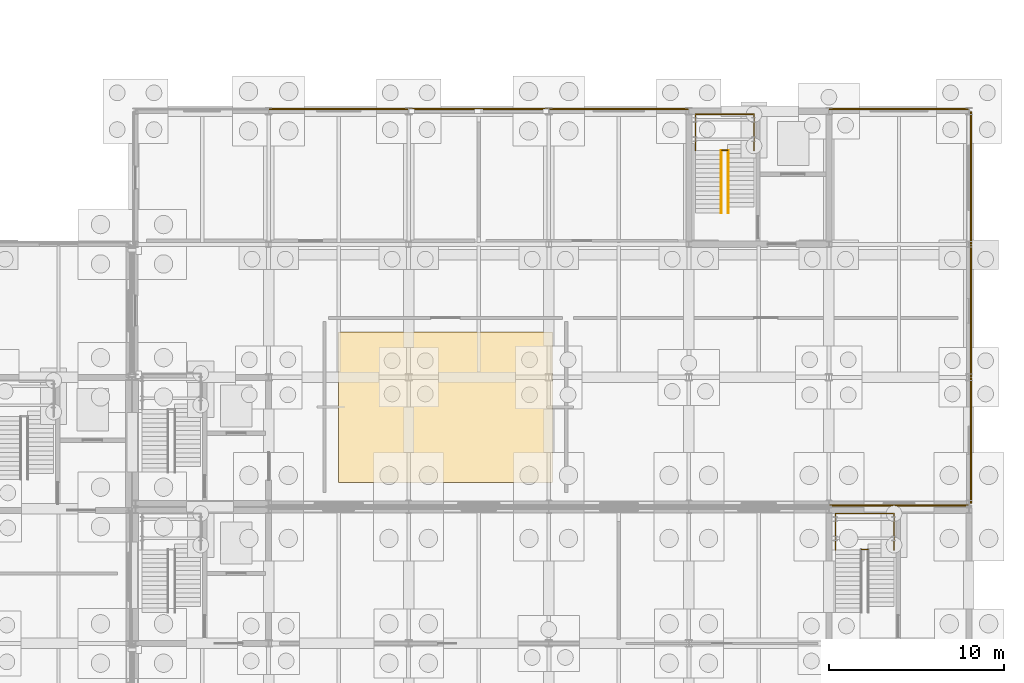
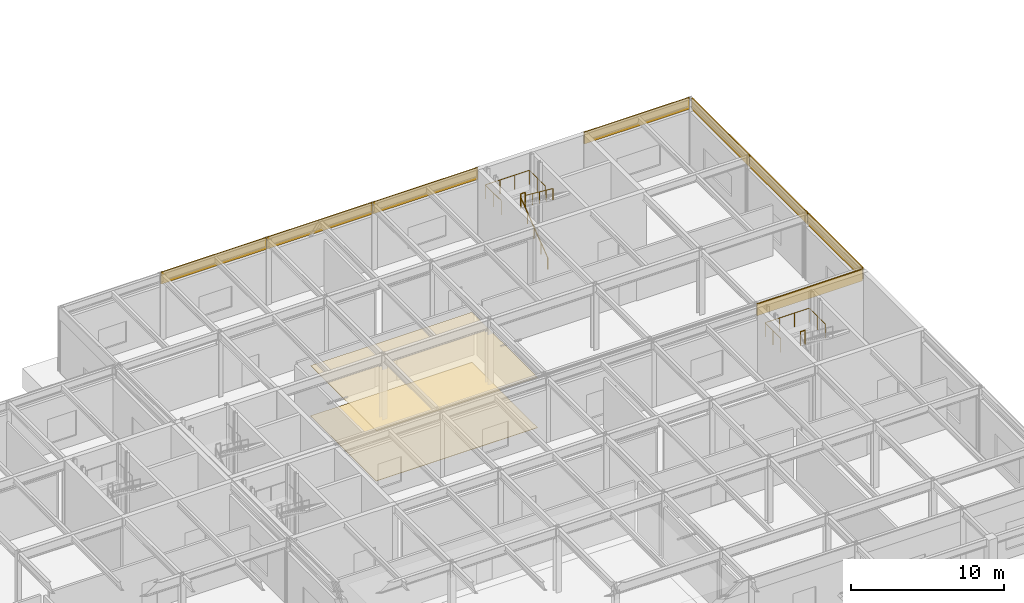
# One storey, part 61 of 62: 10 coverings, 6 railings.
"""IFC4 building model written with IfcOpenShell, lengths in metres."""

from ifc_helpers import new_model, si_unit, direction, frame, origin, origin_2d, place, context, subcontext, project, spatial, polyline, rectangle, circle, outline, extrude, material, layer, layer_set, type_object, element, save


model = new_model("IFC4")

# Units and contexts
model_context = context("Model", 3, precision=1e-05, world=origin(), true_north=direction((0.0, 1.0)))
body_context = subcontext(model_context, "Body", "Model", "MODEL_VIEW")
ifc_project = project(units=[si_unit("LENGTHUNIT", "METRE"), si_unit("AREAUNIT", "SQUARE_METRE"), si_unit("VOLUMEUNIT", "CUBIC_METRE"), si_unit("PLANEANGLEUNIT", "RADIAN"), si_unit("MASSUNIT", "GRAM", prefix="KILO")], contexts=[model_context])

# Site, building, storey
site_placement = place(None, origin())
site = spatial("IfcSite", under=ifc_project, at=site_placement, CompositionType="ELEMENT")
building_placement = place(site_placement, origin())
building = spatial("IfcBuilding", under=site, at=building_placement, Name="Zulena Civic Courthouse", CompositionType="ELEMENT")
storey_placement = place(building_placement, origin())
storey = spatial("IfcBuildingStorey", under=building, at=storey_placement, Name="L00", CompositionType="ELEMENT", Elevation=0.0)

# Covering
ifc_material_1 = material(Name="Perforated acoustic mineral-fibre ceiling tile", Category="concrete")
ifc_layer_1 = layer(ifc_material_1, 0.02490234375)
ifc_layer_set_1 = layer_set([ifc_layer_1], Name="Perforated acoustic mineral-fibre ceiling tile")
covering_type_1 = type_object("IfcCoveringType", Name="AcousticCeiling_25", PredefinedType="CEILING", material=ifc_layer_set_1)
covering_1_placement = place(storey_placement, frame((0.0, 0.0, 4.02001953125)))
element("IfcCovering", 1, at=covering_1_placement, inside=storey, type_object=covering_type_1, Name="ceil:L00:259", PredefinedType="CEILING", context=body_context, shape_type="SweptSolid", body=[
    extrude(outline(polyline([(136.0, 32.0), (148.199951171875, 32.0), (148.199951171875, 40.60009765625), (136.0, 40.60009765625), (136.0, 32.0)])), origin(), (0.0, 0.0, 1.0), 0.02490234375),
])

# Railings
ifc_material_2 = material(Name="Brushed architectural steel ASTM A36", Category="steel")
railing_type_1 = type_object("IfcRailingType", Name="InteriorGuardrail_1150", PredefinedType="GUARDRAIL", material=ifc_material_2)
railing_1_placement = place(storey_placement, frame((164.3798828125, 28.149658203125, 2.699951171875)))
element("IfcRailing", 2, at=railing_1_placement, inside=storey, type_object=railing_type_1, Name="gr:lnd:K1B:L00", PredefinedType="GUARDRAIL", context=body_context, shape_type="SweptSolid", body=[
    extrude(circle(Radius=0.02392578125, at=origin_2d()), frame((0.0, 0.00390625, 1.1259765625), z_axis=(0.0, 1.0, 0.0), x_axis=(-1.0, 0.0, 0.0)), (0.0, 0.0, 1.0), 2.062255859375),
    extrude(circle(Radius=0.02392578125, at=origin_2d()), frame((0.00390625, 2.0703125, 1.1259765625), z_axis=(1.0, 0.0, 0.0), x_axis=(0.0, 1.0, 0.0)), (0.0, 0.0, 1.0), 3.33203125),
    extrude(circle(Radius=0.02392578125, at=origin_2d()), frame((3.340087890625, 2.06640625, 1.1259765625), z_axis=(0.0, -1.0, 0.0), x_axis=(1.0, 0.0, 0.0)), (0.0, 0.0, 1.0), 2.062255859375),
    extrude(circle(Radius=0.02099609375, at=origin_2d()), origin(), (0.0, 0.0, 1.0), 1.097900390625),
    extrude(circle(Radius=0.02099609375, at=origin_2d()), frame((0.0, 1.03515625, 0.0)), (0.0, 0.0, 1.0), 1.097900390625),
    extrude(circle(Radius=0.02099609375, at=origin_2d()), frame((0.0, 2.0703125, 0.0)), (0.0, 0.0, 1.0), 1.097900390625),
    extrude(circle(Radius=0.02099609375, at=origin_2d()), frame((1.11328125, 2.0703125, 0.0)), (0.0, 0.0, 1.0), 1.097900390625),
    extrude(circle(Radius=0.02099609375, at=origin_2d()), frame((2.226806640625, 2.0703125, 0.0)), (0.0, 0.0, 1.0), 1.097900390625),
    extrude(circle(Radius=0.02099609375, at=origin_2d()), frame((3.340087890625, 2.0703125, 0.0)), (0.0, 0.0, 1.0), 1.097900390625),
    extrude(circle(Radius=0.02099609375, at=origin_2d()), frame((3.340087890625, 1.03515625, 0.0)), (0.0, 0.0, 1.0), 1.097900390625),
    extrude(circle(Radius=0.02099609375, at=origin_2d()), frame((3.340087890625, 0.0, 0.0)), (0.0, 0.0, 1.0), 1.097900390625),
])
railing_2_placement = place(storey_placement, frame((165.8798828125, 28.169921875, 2.699951171875)))
element("IfcRailing", 3, at=railing_2_placement, inside=storey, type_object=railing_type_1, Name="gr:lndslot:K1B:L00", PredefinedType="GUARDRAIL", context=body_context, shape_type="SweptSolid", body=[
    extrude(circle(Radius=0.02392578125, at=origin_2d()), frame((0.00390625, 0.0, 1.1259765625), z_axis=(1.0, 0.0, 0.0), x_axis=(0.0, 1.0, 0.0)), (0.0, 0.0, 1.0), 0.33203125),
    extrude(circle(Radius=0.02099609375, at=origin_2d()), origin(), (0.0, 0.0, 1.0), 1.097900390625),
    extrude(circle(Radius=0.02099609375, at=origin_2d()), frame((0.340087890625, 0.0, 0.0)), (0.0, 0.0, 1.0), 1.097900390625),
])
railing_3_placement = place(storey_placement, frame((156.3798828125, 50.94970703125, 2.699951171875)))
element("IfcRailing", 4, at=railing_3_placement, inside=storey, type_object=railing_type_1, Name="gr:lnd:K3B:L00", PredefinedType="GUARDRAIL", context=body_context, shape_type="SweptSolid", body=[
    extrude(circle(Radius=0.02392578125, at=origin_2d()), frame((0.0, 0.00390625, 1.1259765625), z_axis=(0.0, 1.0, 0.0), x_axis=(-1.0, 0.0, 0.0)), (0.0, 0.0, 1.0), 2.062255859375),
    extrude(circle(Radius=0.02392578125, at=origin_2d()), frame((0.00390625, 2.0703125, 1.1259765625), z_axis=(1.0, 0.0, 0.0), x_axis=(0.0, 1.0, 0.0)), (0.0, 0.0, 1.0), 3.33203125),
    extrude(circle(Radius=0.02392578125, at=origin_2d()), frame((3.340087890625, 2.06640625, 1.1259765625), z_axis=(0.0, -1.0, 0.0), x_axis=(1.0, 0.0, 0.0)), (0.0, 0.0, 1.0), 2.062255859375),
    extrude(circle(Radius=0.02099609375, at=origin_2d()), origin(), (0.0, 0.0, 1.0), 1.097900390625),
    extrude(circle(Radius=0.02099609375, at=origin_2d()), frame((0.0, 1.03515625, 0.0)), (0.0, 0.0, 1.0), 1.097900390625),
    extrude(circle(Radius=0.02099609375, at=origin_2d()), frame((0.0, 2.0703125, 0.0)), (0.0, 0.0, 1.0), 1.097900390625),
    extrude(circle(Radius=0.02099609375, at=origin_2d()), frame((1.11328125, 2.0703125, 0.0)), (0.0, 0.0, 1.0), 1.097900390625),
    extrude(circle(Radius=0.02099609375, at=origin_2d()), frame((2.226806640625, 2.0703125, 0.0)), (0.0, 0.0, 1.0), 1.097900390625),
    extrude(circle(Radius=0.02099609375, at=origin_2d()), frame((3.340087890625, 2.0703125, 0.0)), (0.0, 0.0, 1.0), 1.097900390625),
    extrude(circle(Radius=0.02099609375, at=origin_2d()), frame((3.340087890625, 1.03515625, 0.0)), (0.0, 0.0, 1.0), 1.097900390625),
    extrude(circle(Radius=0.02099609375, at=origin_2d()), frame((3.340087890625, 0.0, 0.0)), (0.0, 0.0, 1.0), 1.097900390625),
])
railing_4_placement = place(storey_placement, frame((157.8798828125, 50.969970703125, 2.699951171875)))
element("IfcRailing", 5, at=railing_4_placement, inside=storey, type_object=railing_type_1, Name="gr:lndslot:K3B:L00", PredefinedType="GUARDRAIL", context=body_context, shape_type="SweptSolid", body=[
    extrude(circle(Radius=0.02392578125, at=origin_2d()), frame((0.00390625, 0.0, 1.1259765625), z_axis=(1.0, 0.0, 0.0), x_axis=(0.0, 1.0, 0.0)), (0.0, 0.0, 1.0), 0.33203125),
    extrude(circle(Radius=0.02099609375, at=origin_2d()), origin(), (0.0, 0.0, 1.0), 1.097900390625),
    extrude(circle(Radius=0.02099609375, at=origin_2d()), frame((0.340087890625, 0.0, 0.0)), (0.0, 0.0, 1.0), 1.097900390625),
])

# Coverings
ifc_material_3 = material(Name="White architectural precast concrete C40/50", Category="concrete")
ifc_layer_2 = layer(ifc_material_3, 0.0849609375)
ifc_layer_set_2 = layer_set([ifc_layer_2], Name="White architectural precast concrete C40/50")
covering_type_2 = type_object("IfcCoveringType", Name="PrecastSpandrelCladding_85", PredefinedType="CLADDING", material=ifc_layer_set_2)
for number, where, z_axis, x_axis, name in (
    (6, (136.0, 53.320068359375, 4.25), (0.0, 0.0, 1.0), (1.0, 0.0, 0.0), "clad:sp:V3:L00:1:1"),
    (7, (144.0, 53.320068359375, 4.25), (0.0, 0.0, 1.0), (1.0, 0.0, 0.0), "clad:sp:V3:L00:1:2"),
    (8, (152.0, 53.320068359375, 4.25), (0.0, 0.0, 1.0), (1.0, 0.0, 0.0), "clad:sp:V3:L00:1:3"),
    (9, (168.0, 53.320068359375, 4.25), (0.0, 0.0, 1.0), (1.0, 0.0, 0.0), "clad:sp:V3:L00:1:5"),
):
    element("IfcCovering", number, at=place(storey_placement, frame(where, z_axis=z_axis, x_axis=x_axis)), inside=storey, type_object=covering_type_2, Name=name, PredefinedType="CLADDING", context=body_context, shape_type="SweptSolid", body=[
        extrude(rectangle(XDim=7.9599609375, YDim=0.0849609375, at=origin_2d()), origin(), (0.0, 0.0, 1.0), 0.93994140625),
    ])
for number, where, z_axis, x_axis, name in (
    (10, (172.1201171875, 49.39990234375, 4.25), (0.0, 0.0, 1.0), (0.0, -1.0, 0.0), "clad:sp:V3:L00:2:0"),
    (11, (172.1201171875, 41.800048828125, 4.25), (0.0, 0.0, 1.0), (0.0, -1.0, 0.0), "clad:sp:V3:L00:2:1"),
):
    element("IfcCovering", number, at=place(storey_placement, frame(where, z_axis=z_axis, x_axis=x_axis)), inside=storey, type_object=covering_type_2, Name=name, PredefinedType="CLADDING", context=body_context, shape_type="SweptSolid", body=[
        extrude(rectangle(XDim=7.56005859375, YDim=0.0849609375, at=origin_2d()), origin(), (0.0, 0.0, 1.0), 0.93994140625),
    ])
covering_2_placement = place(storey_placement, frame((172.1201171875, 34.39990234375, 4.25), z_axis=(0.0, 0.0, 1.0), x_axis=(0.0, -1.0, 0.0)))
element("IfcCovering", 12, at=covering_2_placement, inside=storey, type_object=covering_type_2, Name="clad:sp:V3:L00:2:2", PredefinedType="CLADDING", context=body_context, shape_type="SweptSolid", body=[
    extrude(rectangle(XDim=7.159912109375, YDim=0.0849609375, at=origin_2d()), origin(), (0.0, 0.0, 1.0), 0.93994140625),
])
covering_3_placement = place(storey_placement, frame((168.0, 30.679931640625, 4.25), z_axis=(0.0, 0.0, 1.0), x_axis=(-1.0, 0.0, 0.0)))
element("IfcCovering", 13, at=covering_3_placement, inside=storey, type_object=covering_type_2, Name="clad:sp:V3:L00:3:0", PredefinedType="CLADDING", context=body_context, shape_type="SweptSolid", body=[
    extrude(rectangle(XDim=7.9599609375, YDim=0.0849609375, at=origin_2d()), origin(), (0.0, 0.0, 1.0), 0.93994140625),
])

# Railings
railing_type_2 = type_object("IfcRailingType", Name="StairHandrail_920", PredefinedType="HANDRAIL", material=ifc_material_2)
railing_5_placement = place(storey_placement, frame((157.85009765625, 47.3798828125, 0.0)))
element("IfcRailing", 14, at=railing_5_placement, inside=storey, type_object=railing_type_2, Name="hr:K3B:L00:1", PredefinedType="HANDRAIL", context=body_context, shape_type="SweptSolid", body=[
    extrude(circle(Radius=0.02392578125, at=origin_2d()), frame((0.0, 0.003173828125, 0.898193359375), z_axis=(0.0, 0.797571640464, 0.603224235528), x_axis=(-1.0, 0.0, 0.0)), (0.0, 0.0, 1.0), 4.468017578125),
    extrude(circle(Radius=0.02099609375, at=origin_2d()), origin(), (0.0, 0.0, 1.0), 0.867919921875),
    extrude(circle(Radius=0.02099609375, at=origin_2d()), frame((0.0, 0.892578125, 0.675048828125)), (0.0, 0.0, 1.0), 0.867919921875),
    extrude(circle(Radius=0.02099609375, at=origin_2d()), frame((0.0, 1.784912109375, 1.35009765625)), (0.0, 0.0, 1.0), 0.867919921875),
    extrude(circle(Radius=0.02099609375, at=origin_2d()), frame((0.0, 2.67724609375, 2.02490234375)), (0.0, 0.0, 1.0), 0.867919921875),
    extrude(circle(Radius=0.02099609375, at=origin_2d()), frame((0.0, 3.56982421875, 2.699951171875)), (0.0, 0.0, 1.0), 0.867919921875),
])
railing_6_placement = place(storey_placement, frame((158.25, 50.94970703125, 2.699951171875)))
element("IfcRailing", 15, at=railing_6_placement, inside=storey, type_object=railing_type_2, Name="hr:K3B:L00:2", PredefinedType="HANDRAIL", context=body_context, shape_type="SweptSolid", body=[
    extrude(circle(Radius=0.02392578125, at=origin_2d()), frame((0.0, -0.003173828125, 0.898193359375), z_axis=(0.0, -0.797571640464, 0.603224235528), x_axis=(1.0, 0.0, 0.0)), (0.0, 0.0, 1.0), 4.468017578125),
    extrude(circle(Radius=0.02099609375, at=origin_2d()), origin(), (0.0, 0.0, 1.0), 0.867919921875),
    extrude(circle(Radius=0.02099609375, at=origin_2d()), frame((0.0, -0.892578125, 0.675048828125)), (0.0, 0.0, 1.0), 0.867919921875),
    extrude(circle(Radius=0.02099609375, at=origin_2d()), frame((0.0, -1.784912109375, 1.35009765625)), (0.0, 0.0, 1.0), 0.867919921875),
    extrude(circle(Radius=0.02099609375, at=origin_2d()), frame((0.0, -2.67724609375, 2.02490234375)), (0.0, 0.0, 1.0), 0.867919921875),
    extrude(circle(Radius=0.02099609375, at=origin_2d()), frame((0.0, -3.56982421875, 2.699951171875)), (0.0, 0.0, 1.0), 0.867919921875),
])

# Covering
ifc_material_4 = material(Name="Honed travertine stone flooring", Category="masonry")
ifc_layer_3 = layer(ifc_material_4, 0.030029296875)
ifc_layer_set_3 = layer_set([ifc_layer_3], Name="Honed travertine stone flooring")
covering_type_3 = type_object("IfcCoveringType", Name="TravertineFlooring_30", PredefinedType="FLOORING", material=ifc_layer_set_3)
covering_4_placement = place(storey_placement, origin())
element("IfcCovering", 16, at=covering_4_placement, inside=storey, type_object=covering_type_3, Name="floor:L00:259", PredefinedType="FLOORING", context=body_context, shape_type="SweptSolid", body=[
    extrude(outline(polyline([(136.0, 32.0), (148.199951171875, 32.0), (148.199951171875, 40.60009765625), (136.0, 40.60009765625), (136.0, 32.0)])), origin(), (0.0, 0.0, 1.0), 0.030029296875),
])

save(model, "model.ifc")
